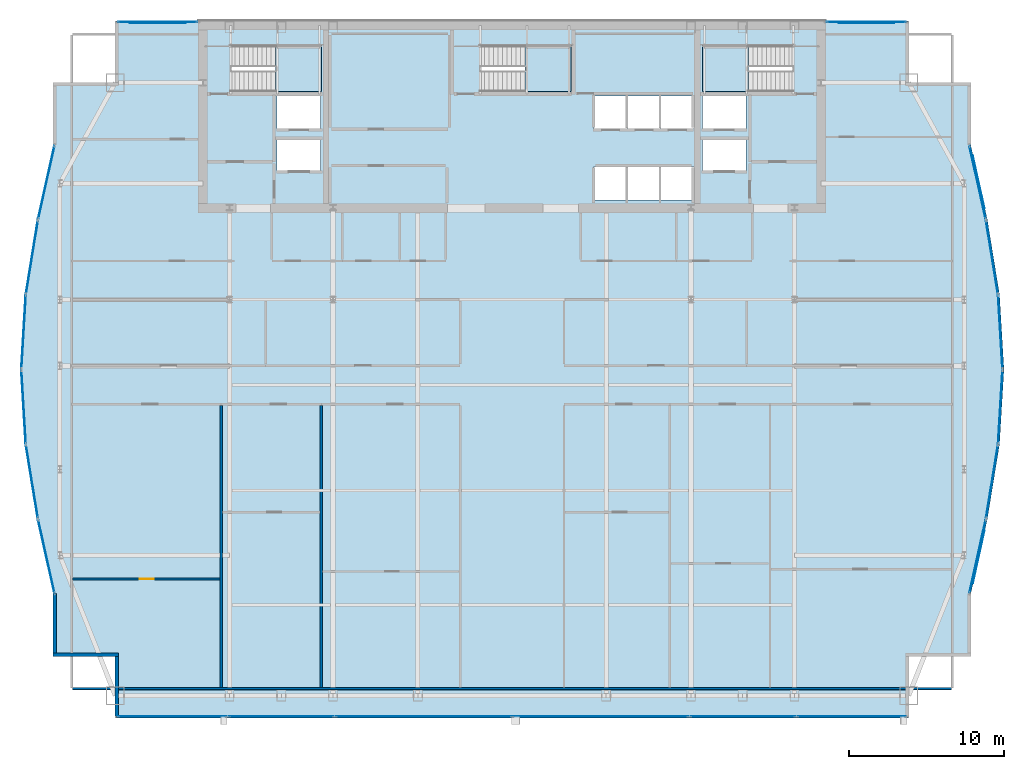
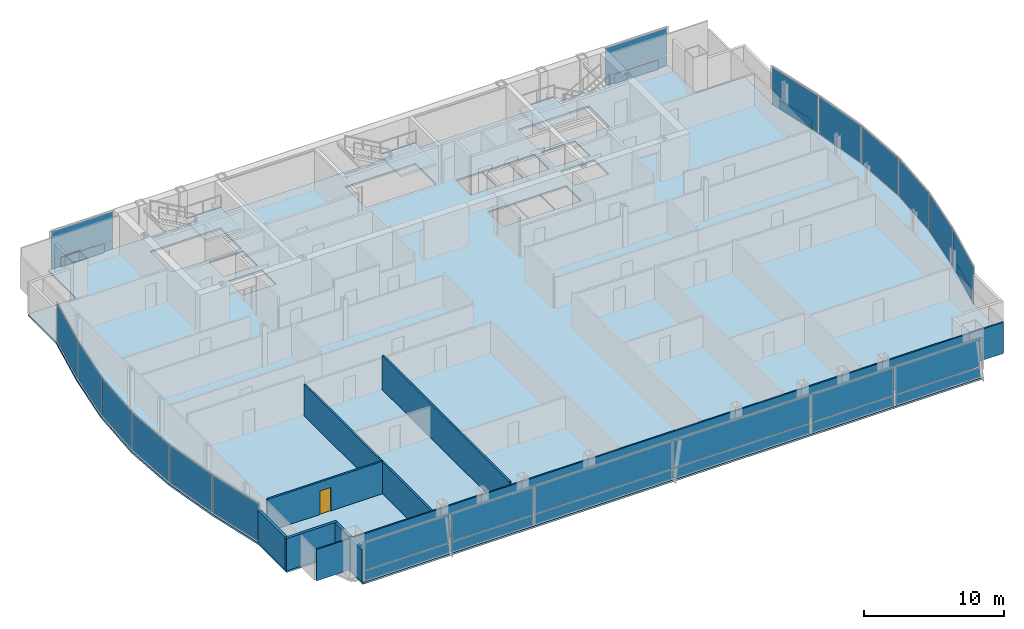
# One storey, part 24 of 30: 32 plates, 7 walls, 4 slabs, 1 door, 1 opening, 22 elements without a shape of their own.
"""IFC4 building model written with IfcOpenShell, lengths in metres."""

from ifc_helpers import new_model, si_unit, direction, frame, frame_2d, origin, origin_2d, place, context, subcontext, project, spatial, polyline, rectangle, outline, extrude, material, layer, layer_set, type_object, element, fill, aggregate, save


model = new_model("IFC4")

# Units and contexts
model_context = context("Model", 3, precision=1e-05, world=origin(), true_north=direction((0.0, 1.0)))
body_context = subcontext(model_context, "Body", "Model", "MODEL_VIEW")
ifc_project = project(units=[si_unit("LENGTHUNIT", "METRE"), si_unit("AREAUNIT", "SQUARE_METRE"), si_unit("VOLUMEUNIT", "CUBIC_METRE"), si_unit("PLANEANGLEUNIT", "RADIAN"), si_unit("MASSUNIT", "GRAM", prefix="KILO")], contexts=[model_context])

# Site, building, storey
site_placement = place(None, origin())
site = spatial("IfcSite", under=ifc_project, at=site_placement, CompositionType="ELEMENT")
building_placement = place(site_placement, origin())
building = spatial("IfcBuilding", under=site, at=building_placement, Name="Khoronbel Lancet Exchange", CompositionType="ELEMENT")
storey_placement = place(building_placement, frame((0.0, 0.0, 213.800048828125)))
storey = spatial("IfcBuildingStorey", under=building, at=storey_placement, Name="L54", CompositionType="ELEMENT", Elevation=213.800048828125)

# Curtain wall, plate
ifc_material_1 = material(Name="Low-E Solar Control Insulating Glass", Category="glass")
curtain_wall_type_1 = type_object("IfcCurtainWallType", Name="CW-4", PredefinedType="NOTDEFINED", material=ifc_material_1)
curtain_wall_1_placement = place(storey_placement, origin())
curtain_wall_1 = element("IfcCurtainWall", 1, at=curtain_wall_1_placement, inside=storey, type_object=curtain_wall_type_1, Name="Unitised curtain wall CW-L54-E05", PredefinedType="NOTDEFINED")
ifc_material_2 = material(Name="Bronze-Anodised Aluminium 6063-T6", Category="aluminium")
ifc_layer_1 = layer(ifc_material_2, 0.050048828125, Name="Bronze-Anodised Aluminium 6063-T6")
ifc_layer_set_1 = layer_set([ifc_layer_1], Name="Bronze-Anodised Aluminium 6063-T6")
plate_type_1 = type_object("IfcPlateType", Name="PLT-CSP1", PredefinedType="SHEET", material=ifc_layer_set_1)
plate_1_placement = place(storey_placement, frame((5.470458984375, 23.96337890625, 0.0849609375), z_axis=(0.0, 0.0, 1.0), x_axis=(-0.16070015773, 0.987003272186, 0.0)))
plate_1 = element("IfcPlate", 2, at=plate_1_placement, type_object=plate_type_1, Name="CW4 panel 1.1", PredefinedType="CURTAIN_PANEL", context=body_context, shape_type="SweptSolid", body=[
    extrude(rectangle(XDim=4.73974609375, YDim=0.0380859375, at=origin_2d()), origin(), (0.0, 0.0, 1.0), 3.27001953125),
])
aggregate(curtain_wall_1, [plate_1])

curtain_wall_2_placement = place(storey_placement, origin())
curtain_wall_2 = element("IfcCurtainWall", 3, at=curtain_wall_2_placement, inside=storey, type_object=curtain_wall_type_1, Name="Unitised curtain wall CW-L54-E06", PredefinedType="NOTDEFINED")
plate_2_placement = place(storey_placement, frame((4.933837890625, 28.788330078125, 0.0849609375), z_axis=(0.0, 0.0, 1.0), x_axis=(-0.059479034311, 0.998229555001, 0.0)))
plate_2 = element("IfcPlate", 4, at=plate_2_placement, type_object=plate_type_1, Name="CW4 panel 1.1", PredefinedType="CURTAIN_PANEL", context=body_context, shape_type="SweptSolid", body=[
    extrude(rectangle(XDim=4.681884765625, YDim=0.0380859375, at=origin_2d()), origin(), (0.0, 0.0, 1.0), 3.27001953125),
])
aggregate(curtain_wall_2, [plate_2])

curtain_wall_3_placement = place(storey_placement, origin())
curtain_wall_3 = element("IfcCurtainWall", 5, at=curtain_wall_3_placement, inside=storey, type_object=curtain_wall_type_1, Name="Unitised curtain wall CW-L54-E07", PredefinedType="NOTDEFINED")
plate_3_placement = place(storey_placement, frame((4.933837890625, 33.61181640625, 0.0849609375), z_axis=(0.0, 0.0, 1.0), x_axis=(0.059479034311, 0.998229555001, 0.0)))
plate_3 = element("IfcPlate", 6, at=plate_3_placement, type_object=plate_type_1, Name="CW4 panel 1.1", PredefinedType="CURTAIN_PANEL", context=body_context, shape_type="SweptSolid", body=[
    extrude(rectangle(XDim=4.681884765625, YDim=0.0380859375, at=origin_2d()), origin(), (0.0, 0.0, 1.0), 3.27001953125),
])
aggregate(curtain_wall_3, [plate_3])

curtain_wall_4_placement = place(storey_placement, origin())
curtain_wall_4 = element("IfcCurtainWall", 7, at=curtain_wall_4_placement, inside=storey, type_object=curtain_wall_type_1, Name="Unitised curtain wall CW-L54-E08", PredefinedType="NOTDEFINED")
plate_4_placement = place(storey_placement, frame((5.470458984375, 38.4365234375, 0.0849609375), z_axis=(0.0, 0.0, 1.0), x_axis=(0.16070015773, 0.987003272186, 0.0)))
plate_4 = element("IfcPlate", 8, at=plate_4_placement, type_object=plate_type_1, Name="CW4 panel 1.1", PredefinedType="CURTAIN_PANEL", context=body_context, shape_type="SweptSolid", body=[
    extrude(rectangle(XDim=4.73974609375, YDim=0.0380859375, at=origin_2d()), origin(), (0.0, 0.0, 1.0), 3.27001953125),
])
aggregate(curtain_wall_4, [plate_4])

curtain_wall_type_2 = type_object("IfcCurtainWallType", Name="CW-3", PredefinedType="NOTDEFINED", material=ifc_material_1)
curtain_wall_5_placement = place(storey_placement, origin())
curtain_wall_5 = element("IfcCurtainWall", 9, at=curtain_wall_5_placement, inside=storey, type_object=curtain_wall_type_2, Name="Unitised curtain wall CW-L54-NWFLK", PredefinedType="NOTDEFINED")
plate_5_placement = place(storey_placement, frame((13.580078125, 53.550048828125, 0.0498046875), z_axis=(0.0, 0.0, 1.0), x_axis=(-1.0, 0.0, 0.0)))
plate_5 = element("IfcPlate", 10, at=plate_5_placement, type_object=plate_type_1, Name="Insulated bronze spandrel cassette CW-L54-NWFLK", PredefinedType="SHEET", context=body_context, shape_type="SweptSolid", body=[
    extrude(rectangle(XDim=3.60009765625, YDim=0.050048828125, at=origin_2d()), origin(), (0.0, 0.0, 1.0), 0.800048828125),
])

curtain_wall_6_placement = place(storey_placement, origin())
curtain_wall_6 = element("IfcCurtainWall", 11, at=curtain_wall_6_placement, inside=storey, type_object=curtain_wall_type_2, Name="Unitised curtain wall CW-L54-NEFLK", PredefinedType="NOTDEFINED")
plate_6_placement = place(storey_placement, frame((59.320068359375, 53.550048828125, 0.0498046875), z_axis=(0.0, 0.0, 1.0), x_axis=(-1.0, 0.0, 0.0)))
plate_6 = element("IfcPlate", 12, at=plate_6_placement, type_object=plate_type_1, Name="Insulated bronze spandrel cassette CW-L54-NEFLK", PredefinedType="SHEET", context=body_context, shape_type="SweptSolid", body=[
    extrude(rectangle(XDim=3.60009765625, YDim=0.050048828125, at=origin_2d()), origin(), (0.0, 0.0, 1.0), 0.800048828125),
])

curtain_wall_7_placement = place(storey_placement, origin())
curtain_wall_7 = element("IfcCurtainWall", 13, at=curtain_wall_7_placement, inside=storey, type_object=curtain_wall_type_1, Name="Unitised curtain wall CW-L54-E17", PredefinedType="NOTDEFINED")
plate_7_placement = place(storey_placement, frame((66.556884765625, 43.282958984375, 0.0498046875), z_axis=(0.0, 0.0, 1.0), x_axis=(0.217114089072, -0.976146235114, 0.0)))
plate_7 = element("IfcPlate", 14, at=plate_7_placement, type_object=plate_type_1, Name="Insulated bronze spandrel cassette CW-L54-E17", PredefinedType="SHEET", context=body_context, shape_type="SweptSolid", body=[
    extrude(rectangle(XDim=3.47119140625, YDim=0.050048828125, at=origin_2d()), origin(), (0.0, 0.0, 1.0), 0.800048828125),
])

curtain_wall_8_placement = place(storey_placement, origin())
curtain_wall_8 = element("IfcCurtainWall", 15, at=curtain_wall_8_placement, inside=storey, type_object=curtain_wall_type_1, Name="Unitised curtain wall CW-L54-E18", PredefinedType="NOTDEFINED")
plate_8_placement = place(storey_placement, frame((67.429443359375, 38.4365234375, 0.0849609375), z_axis=(0.0, 0.0, 1.0), x_axis=(0.16070015773, -0.987003272186, 0.0)))
plate_8 = element("IfcPlate", 16, at=plate_8_placement, type_object=plate_type_1, Name="CW4 panel 1.1", PredefinedType="CURTAIN_PANEL", context=body_context, shape_type="SweptSolid", body=[
    extrude(rectangle(XDim=4.73974609375, YDim=0.0380859375, at=origin_2d()), origin(), (0.0, 0.0, 1.0), 3.27001953125),
])
aggregate(curtain_wall_8, [plate_8])

curtain_wall_9_placement = place(storey_placement, origin())
curtain_wall_9 = element("IfcCurtainWall", 17, at=curtain_wall_9_placement, inside=storey, type_object=curtain_wall_type_1, Name="Unitised curtain wall CW-L54-E19", PredefinedType="NOTDEFINED")
plate_9_placement = place(storey_placement, frame((67.966064453125, 33.61181640625, 0.0849609375), z_axis=(0.0, 0.0, 1.0), x_axis=(0.059479034311, -0.998229555001, 0.0)))
plate_9 = element("IfcPlate", 18, at=plate_9_placement, type_object=plate_type_1, Name="CW4 panel 1.1", PredefinedType="CURTAIN_PANEL", context=body_context, shape_type="SweptSolid", body=[
    extrude(rectangle(XDim=4.681884765625, YDim=0.0380859375, at=origin_2d()), origin(), (0.0, 0.0, 1.0), 3.27001953125),
])
aggregate(curtain_wall_9, [plate_9])

curtain_wall_10_placement = place(storey_placement, origin())
curtain_wall_10 = element("IfcCurtainWall", 19, at=curtain_wall_10_placement, inside=storey, type_object=curtain_wall_type_1, Name="Unitised curtain wall CW-L54-E20", PredefinedType="NOTDEFINED")
plate_10_placement = place(storey_placement, frame((67.966064453125, 28.788330078125, 0.0849609375), z_axis=(0.0, 0.0, 1.0), x_axis=(-0.059479034311, -0.998229555001, 0.0)))
plate_10 = element("IfcPlate", 20, at=plate_10_placement, type_object=plate_type_1, Name="CW4 panel 1.1", PredefinedType="CURTAIN_PANEL", context=body_context, shape_type="SweptSolid", body=[
    extrude(rectangle(XDim=4.681884765625, YDim=0.0380859375, at=origin_2d()), origin(), (0.0, 0.0, 1.0), 3.27001953125),
])
aggregate(curtain_wall_10, [plate_10])

curtain_wall_11_placement = place(storey_placement, origin())
curtain_wall_11 = element("IfcCurtainWall", 21, at=curtain_wall_11_placement, inside=storey, type_object=curtain_wall_type_1, Name="Unitised curtain wall CW-L54-E21", PredefinedType="NOTDEFINED")
plate_11_placement = place(storey_placement, frame((67.429443359375, 23.96337890625, 0.0849609375), z_axis=(0.0, 0.0, 1.0), x_axis=(-0.16070015773, -0.987003272186, 0.0)))
plate_11 = element("IfcPlate", 22, at=plate_11_placement, type_object=plate_type_1, Name="CW4 panel 1.1", PredefinedType="CURTAIN_PANEL", context=body_context, shape_type="SweptSolid", body=[
    extrude(rectangle(XDim=4.73974609375, YDim=0.0380859375, at=origin_2d()), origin(), (0.0, 0.0, 1.0), 3.27001953125),
])
aggregate(curtain_wall_11, [plate_11])

curtain_wall_12_placement = place(storey_placement, origin())
curtain_wall_12 = element("IfcCurtainWall", 23, at=curtain_wall_12_placement, inside=storey, type_object=curtain_wall_type_1, Name="Unitised curtain wall CW-L54-E22", PredefinedType="NOTDEFINED")
plate_12_placement = place(storey_placement, frame((66.556884765625, 19.1171875, 0.0498046875), z_axis=(0.0, 0.0, 1.0), x_axis=(-0.217114089072, -0.976146235114, 0.0)))
plate_12 = element("IfcPlate", 24, at=plate_12_placement, type_object=plate_type_1, Name="Insulated bronze spandrel cassette CW-L54-E22", PredefinedType="SHEET", context=body_context, shape_type="SweptSolid", body=[
    extrude(rectangle(XDim=3.47119140625, YDim=0.050048828125, at=origin_2d()), origin(), (0.0, 0.0, 1.0), 0.800048828125),
])

# Curtain wall, plates
curtain_wall_13_placement = place(storey_placement, origin())
curtain_wall_13 = element("IfcCurtainWall", 25, at=curtain_wall_13_placement, inside=storey, type_object=curtain_wall_type_2, Name="Unitised curtain wall CW-L54-SWB", PredefinedType="NOTDEFINED")
plate_13_placement = place(storey_placement, frame((21.550048828125, 8.7900390625, 0.0849609375), z_axis=(0.0, 0.0, 1.0), x_axis=(1.0, 0.0, 0.0)))
plate_13 = element("IfcPlate", 26, at=plate_13_placement, type_object=plate_type_1, Name="CW3 panel 1.1", PredefinedType="CURTAIN_PANEL", context=body_context, shape_type="SweptSolid", body=[
    extrude(rectangle(XDim=6.72998046875, YDim=0.0380859375, at=origin_2d()), origin(), (0.0, 0.0, 1.0), 0.822509765625),
])
plate_14_placement = place(storey_placement, frame((21.550048828125, 8.7900390625, 0.9921875), z_axis=(0.0, 0.0, 1.0), x_axis=(1.0, 0.0, 0.0)))
plate_14 = element("IfcPlate", 27, at=plate_14_placement, type_object=plate_type_1, Name="CW3 panel 1.2", PredefinedType="CURTAIN_PANEL", context=body_context, shape_type="SweptSolid", body=[
    extrude(rectangle(XDim=6.72998046875, YDim=0.0380859375, at=origin_2d()), origin(), (0.0, 0.0, 1.0), 2.362548828125),
])
aggregate(curtain_wall_13, [plate_13, plate_14])

curtain_wall_14_placement = place(storey_placement, origin())
curtain_wall_14 = element("IfcCurtainWall", 28, at=curtain_wall_14_placement, inside=storey, type_object=curtain_wall_type_2, Name="Unitised curtain wall CW-L54-SEB", PredefinedType="NOTDEFINED")
plate_15_placement = place(storey_placement, frame((51.35009765625, 8.7900390625, 0.0849609375), z_axis=(0.0, 0.0, 1.0), x_axis=(1.0, 0.0, 0.0)))
plate_15 = element("IfcPlate", 29, at=plate_15_placement, type_object=plate_type_1, Name="CW3 panel 1.1", PredefinedType="CURTAIN_PANEL", context=body_context, shape_type="SweptSolid", body=[
    extrude(rectangle(XDim=6.72998046875, YDim=0.0380859375, at=origin_2d()), origin(), (0.0, 0.0, 1.0), 0.822509765625),
])
plate_16_placement = place(storey_placement, frame((51.35009765625, 8.7900390625, 0.9921875), z_axis=(0.0, 0.0, 1.0), x_axis=(1.0, 0.0, 0.0)))
plate_16 = element("IfcPlate", 30, at=plate_16_placement, type_object=plate_type_1, Name="CW3 panel 1.2", PredefinedType="CURTAIN_PANEL", context=body_context, shape_type="SweptSolid", body=[
    extrude(rectangle(XDim=6.72998046875, YDim=0.0380859375, at=origin_2d()), origin(), (0.0, 0.0, 1.0), 2.362548828125),
])
aggregate(curtain_wall_14, [plate_15, plate_16])

# Plate
ifc_layer_2 = layer(ifc_material_1, 0.035888671875, Name="Low-E Solar Control Insulating Glass")
ifc_layer_set_2 = layer_set([ifc_layer_2], Name="Low-E Solar Control Insulating Glass")
plate_type_2 = type_object("IfcPlateType", Name="PLT-CWP1", PredefinedType="CURTAIN_PANEL", material=ifc_layer_set_2)
plate_17_placement = place(storey_placement, frame((13.580078125, 53.610107421875, 0.0849609375), z_axis=(0.0, 0.0, 1.0), x_axis=(-1.0, 0.0, 0.0)))
plate_17 = element("IfcPlate", 31, at=plate_17_placement, type_object=plate_type_2, Name="CW3 panel 1.1", PredefinedType="CURTAIN_PANEL", context=body_context, shape_type="SweptSolid", body=[
    extrude(rectangle(XDim=5.110107421875, YDim=0.0380859375, at=origin_2d()), origin(), (0.0, 0.0, 1.0), 0.822509765625),
])

plate_18_placement = place(storey_placement, frame((13.580078125, 53.610107421875, 0.9921875), z_axis=(0.0, 0.0, 1.0), x_axis=(-1.0, 0.0, 0.0)))
plate_18 = element("IfcPlate", 32, at=plate_18_placement, type_object=plate_type_2, Name="CW3 panel 1.2", PredefinedType="CURTAIN_PANEL", context=body_context, shape_type="SweptSolid", body=[
    extrude(rectangle(XDim=5.110107421875, YDim=0.0380859375, at=origin_2d()), origin(), (0.0, 0.0, 1.0), 2.362548828125),
])

aggregate(curtain_wall_5, [plate_17, plate_18, plate_5])

plate_19_placement = place(storey_placement, frame((59.320068359375, 53.610107421875, 0.0849609375), z_axis=(0.0, 0.0, 1.0), x_axis=(-1.0, 0.0, 0.0)))
plate_19 = element("IfcPlate", 33, at=plate_19_placement, type_object=plate_type_2, Name="CW3 panel 1.1", PredefinedType="CURTAIN_PANEL", context=body_context, shape_type="SweptSolid", body=[
    extrude(rectangle(XDim=5.110107421875, YDim=0.0380859375, at=origin_2d()), origin(), (0.0, 0.0, 1.0), 0.822509765625),
])

plate_20_placement = place(storey_placement, frame((59.320068359375, 53.610107421875, 0.9921875), z_axis=(0.0, 0.0, 1.0), x_axis=(-1.0, 0.0, 0.0)))
plate_20 = element("IfcPlate", 34, at=plate_20_placement, type_object=plate_type_2, Name="CW3 panel 1.2", PredefinedType="CURTAIN_PANEL", context=body_context, shape_type="SweptSolid", body=[
    extrude(rectangle(XDim=5.110107421875, YDim=0.0380859375, at=origin_2d()), origin(), (0.0, 0.0, 1.0), 2.362548828125),
])

aggregate(curtain_wall_6, [plate_19, plate_20, plate_6])

# Curtain wall, plates
curtain_wall_15_placement = place(storey_placement, origin())
curtain_wall_15 = element("IfcCurtainWall", 35, at=curtain_wall_15_placement, inside=storey, type_object=curtain_wall_type_2, Name="Unitised curtain wall CW-L54-SWV", PredefinedType="NOTDEFINED")
plate_21_placement = place(storey_placement, frame((14.52001953125, 8.7900390625, 0.0849609375), z_axis=(0.0, 0.0, 1.0), x_axis=(1.0, 0.0, 0.0)))
plate_21 = element("IfcPlate", 36, at=plate_21_placement, type_object=plate_type_2, Name="CW3 panel 1.1", PredefinedType="CURTAIN_PANEL", context=body_context, shape_type="SweptSolid", body=[
    extrude(rectangle(XDim=6.989990234375, YDim=0.0380859375, at=origin_2d()), origin(), (0.0, 0.0, 1.0), 0.822509765625),
])
plate_22_placement = place(storey_placement, frame((14.52001953125, 8.7900390625, 0.9921875), z_axis=(0.0, 0.0, 1.0), x_axis=(1.0, 0.0, 0.0)))
plate_22 = element("IfcPlate", 37, at=plate_22_placement, type_object=plate_type_2, Name="CW3 panel 1.2", PredefinedType="CURTAIN_PANEL", context=body_context, shape_type="SweptSolid", body=[
    extrude(rectangle(XDim=6.989990234375, YDim=0.0380859375, at=origin_2d()), origin(), (0.0, 0.0, 1.0), 2.362548828125),
])
aggregate(curtain_wall_15, [plate_21, plate_22])

curtain_wall_16_placement = place(storey_placement, origin())
curtain_wall_16 = element("IfcCurtainWall", 38, at=curtain_wall_16_placement, inside=storey, type_object=curtain_wall_type_2, Name="Unitised curtain wall CW-L54-SCV", PredefinedType="NOTDEFINED")
plate_23_placement = place(storey_placement, frame((30.746337890625, 8.7900390625, 0.0849609375), z_axis=(0.0, 0.0, 1.0), x_axis=(1.0, 0.0, 0.0)))
plate_23 = element("IfcPlate", 39, at=plate_23_placement, type_object=plate_type_2, Name="CW3 panel 1.1", PredefinedType="CURTAIN_PANEL", context=body_context, shape_type="SweptSolid", body=[
    extrude(rectangle(XDim=11.322509765625, YDim=0.0380859375, at=origin_2d()), origin(), (0.0, 0.0, 1.0), 0.822509765625),
])
plate_24_placement = place(storey_placement, frame((30.746337890625, 8.7900390625, 0.9921875), z_axis=(0.0, 0.0, 1.0), x_axis=(1.0, 0.0, 0.0)))
plate_24 = element("IfcPlate", 40, at=plate_24_placement, type_object=plate_type_2, Name="CW3 panel 1.2", PredefinedType="CURTAIN_PANEL", context=body_context, shape_type="SweptSolid", body=[
    extrude(rectangle(XDim=11.322509765625, YDim=0.0380859375, at=origin_2d()), origin(), (0.0, 0.0, 1.0), 2.362548828125),
])
plate_25_placement = place(storey_placement, frame((42.15380859375, 8.7900390625, 0.0849609375), z_axis=(0.0, 0.0, 1.0), x_axis=(1.0, 0.0, 0.0)))
plate_25 = element("IfcPlate", 41, at=plate_25_placement, type_object=plate_type_2, Name="CW3 panel 2.1", PredefinedType="CURTAIN_PANEL", context=body_context, shape_type="SweptSolid", body=[
    extrude(rectangle(XDim=11.322509765625, YDim=0.0380859375, at=origin_2d()), origin(), (0.0, 0.0, 1.0), 0.822509765625),
])
plate_26_placement = place(storey_placement, frame((42.15380859375, 8.7900390625, 0.9921875), z_axis=(0.0, 0.0, 1.0), x_axis=(1.0, 0.0, 0.0)))
plate_26 = element("IfcPlate", 42, at=plate_26_placement, type_object=plate_type_2, Name="CW3 panel 2.2", PredefinedType="CURTAIN_PANEL", context=body_context, shape_type="SweptSolid", body=[
    extrude(rectangle(XDim=11.322509765625, YDim=0.0380859375, at=origin_2d()), origin(), (0.0, 0.0, 1.0), 2.362548828125),
])
aggregate(curtain_wall_16, [plate_23, plate_24, plate_25, plate_26])

curtain_wall_17_placement = place(storey_placement, origin())
curtain_wall_17 = element("IfcCurtainWall", 43, at=curtain_wall_17_placement, inside=storey, type_object=curtain_wall_type_2, Name="Unitised curtain wall CW-L54-SEV", PredefinedType="NOTDEFINED")
plate_27_placement = place(storey_placement, frame((58.3798828125, 8.7900390625, 0.0849609375), z_axis=(0.0, 0.0, 1.0), x_axis=(1.0, 0.0, 0.0)))
plate_27 = element("IfcPlate", 44, at=plate_27_placement, type_object=plate_type_2, Name="CW3 panel 1.1", PredefinedType="CURTAIN_PANEL", context=body_context, shape_type="SweptSolid", body=[
    extrude(rectangle(XDim=6.989990234375, YDim=0.0380859375, at=origin_2d()), origin(), (0.0, 0.0, 1.0), 0.822509765625),
])
plate_28_placement = place(storey_placement, frame((58.3798828125, 8.7900390625, 0.9921875), z_axis=(0.0, 0.0, 1.0), x_axis=(1.0, 0.0, 0.0)))
plate_28 = element("IfcPlate", 45, at=plate_28_placement, type_object=plate_type_2, Name="CW3 panel 1.2", PredefinedType="CURTAIN_PANEL", context=body_context, shape_type="SweptSolid", body=[
    extrude(rectangle(XDim=6.989990234375, YDim=0.0380859375, at=origin_2d()), origin(), (0.0, 0.0, 1.0), 2.362548828125),
])
aggregate(curtain_wall_17, [plate_27, plate_28])

# Curtain wall, plate
curtain_wall_18_placement = place(storey_placement, origin())
curtain_wall_18 = element("IfcCurtainWall", 46, at=curtain_wall_18_placement, inside=storey, type_object=curtain_wall_type_1, Name="Unitised curtain wall CW-L54-E04", PredefinedType="NOTDEFINED")
ifc_material_3 = material(Name="Ceramic-Fritted Laminated Insulating Glass", Category="glass")
ifc_layer_3 = layer(ifc_material_3, 0.0419921875, Name="Ceramic-Fritted Laminated Insulating Glass")
ifc_layer_set_3 = layer_set([ifc_layer_3], Name="Ceramic-Fritted Laminated Insulating Glass")
plate_type_3 = type_object("IfcPlateType", Name="PLT-CWP2", PredefinedType="CURTAIN_PANEL", material=ifc_layer_set_3)
plate_29_placement = place(storey_placement, frame((6.401611328125, 19.130126953125, 0.0849609375), z_axis=(0.0, 0.0, 1.0), x_axis=(-0.217114089072, 0.976146235114, 0.0)))
plate_29 = element("IfcPlate", 47, at=plate_29_placement, type_object=plate_type_3, Name="CW4 panel 1.1", PredefinedType="CURTAIN_PANEL", context=body_context, shape_type="SweptSolid", body=[
    extrude(rectangle(XDim=4.80859375, YDim=0.0380859375, at=origin_2d()), origin(), (0.0, 0.0, 1.0), 3.27001953125),
])
aggregate(curtain_wall_18, [plate_29])

curtain_wall_19_placement = place(storey_placement, origin())
curtain_wall_19 = element("IfcCurtainWall", 48, at=curtain_wall_19_placement, inside=storey, type_object=curtain_wall_type_1, Name="Unitised curtain wall CW-L54-E09", PredefinedType="NOTDEFINED")
plate_30_placement = place(storey_placement, frame((6.401611328125, 43.27001953125, 0.0849609375), z_axis=(0.0, 0.0, 1.0), x_axis=(0.217114089072, 0.976146235114, 0.0)))
plate_30 = element("IfcPlate", 49, at=plate_30_placement, type_object=plate_type_3, Name="CW4 panel 1.1", PredefinedType="CURTAIN_PANEL", context=body_context, shape_type="SweptSolid", body=[
    extrude(rectangle(XDim=4.80859375, YDim=0.0380859375, at=origin_2d()), origin(), (0.0, 0.0, 1.0), 3.27001953125),
])
aggregate(curtain_wall_19, [plate_30])

# Plate
plate_31_placement = place(storey_placement, frame((66.498291015625, 43.27001953125, 0.0849609375), z_axis=(0.0, 0.0, 1.0), x_axis=(0.217114089072, -0.976146235114, 0.0)))
plate_31 = element("IfcPlate", 50, at=plate_31_placement, type_object=plate_type_3, Name="CW4 panel 1.1", PredefinedType="CURTAIN_PANEL", context=body_context, shape_type="SweptSolid", body=[
    extrude(rectangle(XDim=4.80859375, YDim=0.0380859375, at=origin_2d()), origin(), (0.0, 0.0, 1.0), 3.27001953125),
])

aggregate(curtain_wall_7, [plate_31, plate_7])

plate_32_placement = place(storey_placement, frame((66.498291015625, 19.130126953125, 0.0849609375), z_axis=(0.0, 0.0, 1.0), x_axis=(-0.217114089072, -0.976146235114, 0.0)))
plate_32 = element("IfcPlate", 51, at=plate_32_placement, type_object=plate_type_3, Name="CW4 panel 1.1", PredefinedType="CURTAIN_PANEL", context=body_context, shape_type="SweptSolid", body=[
    extrude(rectangle(XDim=4.80859375, YDim=0.0380859375, at=origin_2d()), origin(), (0.0, 0.0, 1.0), 3.27001953125),
])

aggregate(curtain_wall_12, [plate_32, plate_12])

# Slab
ifc_material_4 = material(Name="Concrete C40/50", Category="concrete")
ifc_layer_4 = layer(ifc_material_4, 0.159912109375, Name="Concrete C40/50")
ifc_layer_set_4 = layer_set([ifc_layer_4], Name="Concrete C40/50")
slab_type_1 = type_object("IfcSlabType", Name="SL-FL160", PredefinedType="FLOOR", material=ifc_layer_set_4)
slab_1_placement = place(storey_placement, frame((0.0, 0.0, -0.16015625)))
element("IfcSlab", 52, at=slab_1_placement, inside=storey, type_object=slab_type_1, Name="Level L54 composite structural floor slab", PredefinedType="FLOOR", context=body_context, shape_type="SweptSolid", body=[
    extrude(outline(polyline([(10.85009765625, 8.699951171875), (62.050048828125, 8.699951171875), (62.050048828125, 12.699951171875), (66.050048828125, 12.699951171875), (66.050048828125, 16.699951171875), (67.125, 21.533203125), (67.912109375, 26.36669921875), (68.199951171875, 31.199951171875), (67.912109375, 36.033203125), (67.125, 40.86669921875), (66.050048828125, 45.699951171875), (66.050048828125, 49.699951171875), (62.050048828125, 49.699951171875), (62.050048828125, 53.699951171875), (10.85009765625, 53.699951171875), (10.85009765625, 49.699951171875), (6.85009765625, 49.699951171875), (6.85009765625, 45.699951171875), (5.77490234375, 40.86669921875), (4.988037109375, 36.033203125), (4.699951171875, 31.199951171875), (4.988037109375, 26.36669921875), (5.77490234375, 21.533203125), (6.85009765625, 16.699951171875), (6.85009765625, 12.699951171875), (10.85009765625, 12.699951171875), (10.85009765625, 8.699951171875)]), holes=[polyline([(18.324951171875, 49.1201171875), (24.14990234375, 49.1201171875), (24.14990234375, 52.10009765625), (18.324951171875, 52.10009765625), (18.324951171875, 49.1201171875)]), polyline([(48.75, 49.1201171875), (54.574951171875, 49.1201171875), (54.574951171875, 52.10009765625), (48.75, 52.10009765625), (48.75, 49.1201171875)]), polyline([(34.425048828125, 49.1201171875), (40.25, 49.1201171875), (40.25, 52.10009765625), (34.425048828125, 52.10009765625), (34.425048828125, 49.1201171875)]), polyline([(41.739990234375, 46.75), (43.8798828125, 46.75), (43.8798828125, 48.85009765625), (41.739990234375, 48.85009765625), (41.739990234375, 46.75)]), polyline([(43.89990234375, 46.75), (46.0400390625, 46.75), (46.0400390625, 48.85009765625), (43.89990234375, 48.85009765625), (43.89990234375, 46.75)]), polyline([(46.06005859375, 46.75), (48.199951171875, 46.75), (48.199951171875, 48.85009765625), (46.06005859375, 48.85009765625), (46.06005859375, 46.75)]), polyline([(41.739990234375, 42.14990234375), (43.8798828125, 42.14990234375), (43.8798828125, 44.300048828125), (41.739990234375, 44.300048828125), (41.739990234375, 42.14990234375)]), polyline([(43.89990234375, 42.14990234375), (46.0400390625, 42.14990234375), (46.0400390625, 44.300048828125), (43.89990234375, 44.300048828125), (43.89990234375, 42.14990234375)]), polyline([(46.06005859375, 42.14990234375), (48.199951171875, 42.14990234375), (48.199951171875, 44.300048828125), (46.06005859375, 44.300048828125), (46.06005859375, 42.14990234375)]), polyline([(21.300048828125, 46.75), (24.10009765625, 46.75), (24.10009765625, 48.85009765625), (21.300048828125, 48.85009765625), (21.300048828125, 46.75)]), polyline([(48.75, 46.75), (51.550048828125, 46.75), (51.550048828125, 48.85009765625), (48.75, 48.85009765625), (48.75, 46.75)]), polyline([(21.300048828125, 44.050048828125), (24.10009765625, 44.050048828125), (24.10009765625, 46.050048828125), (21.300048828125, 46.050048828125), (21.300048828125, 44.050048828125)]), polyline([(48.75, 44.050048828125), (51.550048828125, 44.050048828125), (51.550048828125, 46.050048828125), (48.75, 46.050048828125), (48.75, 44.050048828125)])]), origin(), (0.0, 0.0, 1.0), 0.16015625),
])

# Stair, slab
stair_type = type_object("IfcStairType", Name="STR-CORE150", PredefinedType="HALF_TURN_STAIR", material=ifc_material_4)
stair_1_placement = place(storey_placement, origin())
stair_1 = element("IfcStair", 53, at=stair_1_placement, inside=storey, type_object=stair_type, Name="L54 Protected Exit Stair ST1", PredefinedType="HALF_TURN_STAIR")
ifc_layer_5 = layer(ifc_material_4, 0.199951171875, Name="Concrete C40/50")
ifc_layer_set_5 = layer_set([ifc_layer_5], Name="Concrete C40/50")
slab_type_2 = type_object("IfcSlabType", Name="SL-LND180", PredefinedType="LANDING", material=ifc_layer_set_5)
slab_2_placement = place(storey_placement, frame((0.0, 0.0, 1.599853515625)))
slab_2 = element("IfcSlab", 54, at=slab_2_placement, type_object=slab_type_2, Name="ST1 landing 1", PredefinedType="LANDING", context=body_context, shape_type="SweptSolid", body=[
    extrude(outline(polyline([(21.199951171875, 49.1201171875), (24.14990234375, 49.1201171875), (24.14990234375, 52.10009765625), (21.199951171875, 52.10009765625), (21.199951171875, 49.1201171875)])), origin(), (0.0, 0.0, 1.0), 0.2001953125),
])
aggregate(stair_1, [slab_2])

stair_2_placement = place(storey_placement, origin())
stair_2 = element("IfcStair", 55, at=stair_2_placement, inside=storey, type_object=stair_type, Name="L54 Protected Exit Stair ST2", PredefinedType="HALF_TURN_STAIR")
slab_3_placement = place(storey_placement, frame((0.0, 0.0, 1.599853515625)))
slab_3 = element("IfcSlab", 56, at=slab_3_placement, type_object=slab_type_2, Name="ST2 landing 1", PredefinedType="LANDING", context=body_context, shape_type="SweptSolid", body=[
    extrude(outline(polyline([(51.699951171875, 52.10009765625), (48.75, 52.10009765625), (48.75, 49.1201171875), (51.699951171875, 49.1201171875), (51.699951171875, 52.10009765625)])), origin(), (0.0, 0.0, 1.0), 0.2001953125),
])
aggregate(stair_2, [slab_3])

stair_3_placement = place(storey_placement, origin())
stair_3 = element("IfcStair", 57, at=stair_3_placement, inside=storey, type_object=stair_type, Name="L54 Protected Exit Stair ST3", PredefinedType="HALF_TURN_STAIR")
slab_4_placement = place(storey_placement, frame((0.0, 0.0, 1.599853515625)))
slab_4 = element("IfcSlab", 58, at=slab_4_placement, type_object=slab_type_2, Name="ST3 landing 1", PredefinedType="LANDING", context=body_context, shape_type="SweptSolid", body=[
    extrude(outline(polyline([(37.300048828125, 49.1201171875), (40.25, 49.1201171875), (40.25, 52.10009765625), (37.300048828125, 52.10009765625), (37.300048828125, 49.1201171875)])), origin(), (0.0, 0.0, 1.0), 0.2001953125),
])
aggregate(stair_3, [slab_4])

# Walls
ifc_material_5 = material(Name="Precast concrete C40/50", Category="concrete")
ifc_layer_6 = layer(ifc_material_5, 0.25, Name="Precast concrete C40/50")
ifc_layer_set_6 = layer_set([ifc_layer_6], Name="Precast concrete C40/50")
wall_type_1 = type_object("IfcWallType", Name="WL-EXT250", PredefinedType="SOLIDWALL", material=ifc_layer_set_6)
wall_1_placement = place(storey_placement, frame((10.93994140625, 8.77001953125, 0.0), z_axis=(0.0, 0.0, 1.0), x_axis=(0.0, 1.0, 0.0)))
element("IfcWall", 59, at=wall_1_placement, inside=storey, type_object=wall_type_1, Name="Level L54 notched-corner limestone pier 01", PredefinedType="SOLIDWALL", context=body_context, shape_type="SweptSolid", body=[
    extrude(rectangle(XDim=3.909912109375, YDim=0.219970703125, at=frame_2d((1.955078125, 0.0))), origin(), (0.0, 0.0, 1.0), 2.829833984375),
])
wall_2_placement = place(storey_placement, frame((11.050048828125, 12.7900390625, 0.0), z_axis=(0.0, 0.0, 1.0), x_axis=(-1.0, 0.0, 0.0)))
element("IfcWall", 60, at=wall_2_placement, inside=storey, type_object=wall_type_1, Name="Level L54 notched-corner limestone pier 02", PredefinedType="SOLIDWALL", context=body_context, shape_type="SweptSolid", body=[
    extrude(rectangle(XDim=4.219970703125, YDim=0.219970703125, at=frame_2d((2.10986328125, 0.0))), origin(), (0.0, 0.0, 1.0), 2.829833984375),
])
wall_3_placement = place(storey_placement, frame((6.93994140625, 12.89990234375, 0.0), z_axis=(0.0, 0.0, 1.0), x_axis=(0.0, 1.0, 0.0)))
element("IfcWall", 61, at=wall_3_placement, inside=storey, type_object=wall_type_1, Name="Level L54 notched-corner limestone pier 03", PredefinedType="SOLIDWALL", context=body_context, shape_type="SweptSolid", body=[
    extrude(rectangle(XDim=3.830078125, YDim=0.219970703125, at=frame_2d((1.9150390625, 0.0))), origin(), (0.0, 0.0, 1.0), 2.829833984375),
])

# Wall, opening, door
ifc_material_6 = material(Name="Acoustic Metal-Stud & Mineral-Wool Gypsum Partition 120 mm", Category="gypsum")
ifc_layer_7 = layer(ifc_material_6, 0.1201171875, Name="Acoustic Metal-Stud & Mineral-Wool Gypsum Partition 120 mm")
ifc_layer_set_7 = layer_set([ifc_layer_7], Name="Acoustic Metal-Stud & Mineral-Wool Gypsum Partition 120 mm")
wall_type_2 = type_object("IfcWallType", Name="WL-PRT120", PredefinedType="PARTITIONING", material=ifc_layer_set_7)
wall_4_placement = place(storey_placement, frame((8.094970703125, 17.670654296875, 0.0), z_axis=(0.0, 0.0, 1.0), x_axis=(1.0, 0.0, 0.0)))
wall_4 = element("IfcWall", 62, at=wall_4_placement, inside=storey, type_object=wall_type_2, Name="Level L54 interior partition PW-Z3SW-H1", PredefinedType="PARTITIONING", context=body_context, shape_type="SweptSolid", body=[
    extrude(rectangle(XDim=9.5068359375, YDim=0.14990234375, at=frame_2d((4.75341796875, 0.0))), origin(), (0.0, 0.0, 1.0), 2.829833984375),
])
opening_placement = place(wall_4_placement, frame((4.34326171875, 0.0, 0.0)))
opening = element("IfcOpeningElement", 63, at=opening_placement, cuts=wall_4, Name="Opening D5", PredefinedType="OPENING", context=body_context, shape_type="SweptSolid", body=[
    extrude(rectangle(XDim=0.89990234375, YDim=2.050048828125, at=frame_2d((0.449951171875, 1.02490234375))), frame((0.0, 0.0849609375, 0.0), z_axis=(0.0, -1.0, 0.0), x_axis=(1.0, 0.0, 0.0)), (0.0, 0.0, 1.0), 0.169921875),
])
ifc_material_7 = material(Name="Acoustic Timber Pantry & Support Door", Category="wood")
door_type = type_object("IfcDoorType", Name="DR-D5", OperationType="NOTDEFINED", PredefinedType="DOOR", material=ifc_material_7)
door_placement = place(opening_placement, origin())
door = element("IfcDoor", 64, at=door_placement, inside=storey, type_object=door_type, Name="Z3SW inner door 1 L54-1", OperationType="SINGLE_SWING_RIGHT", OverallHeight=2.050048828125, OverallWidth=0.89990234375, PredefinedType="DOOR", context=body_context, shape_type="SweptSolid", body=[
    extrude(rectangle(XDim=0.89990234375, YDim=2.050048828125, at=frame_2d((0.449951171875, 1.02490234375))), frame((0.0, 0.02490234375, 0.0), z_axis=(0.0, -1.0, 0.0), x_axis=(1.0, 0.0, 0.0)), (0.0, 0.0, 1.0), 0.050048828125),
])
fill(opening, door)

# Walls
wall_5_placement = place(storey_placement, frame((8.094970703125, 10.60009765625, 0.0), z_axis=(0.0, 0.0, 1.0), x_axis=(1.0, 0.0, 0.0)))
element("IfcWall", 65, at=wall_5_placement, inside=storey, type_object=wall_type_2, Name="Level L54 interior partition PW-LIN-S", PredefinedType="PARTITIONING", context=body_context, shape_type="SweptSolid", body=[
    extrude(rectangle(XDim=56.7099609375, YDim=0.1201171875, at=frame_2d((28.35498046875, 0.0))), origin(), (0.0, 0.0, 1.0), 2.72998046875),
])
ifc_material_8 = material(Name="Fire-Rated Twin-Stud Acoustic Gypsum Partition 150 mm", Category="gypsum")
ifc_layer_8 = layer(ifc_material_8, 0.14990234375, Name="Fire-Rated Twin-Stud Acoustic Gypsum Partition 150 mm")
ifc_layer_set_8 = layer_set([ifc_layer_8], Name="Fire-Rated Twin-Stud Acoustic Gypsum Partition 150 mm")
wall_type_3 = type_object("IfcWallType", Name="WL-PRT150C", PredefinedType="PARTITIONING", material=ifc_layer_set_8)
wall_6_placement = place(storey_placement, frame((17.681640625, 10.6650390625, 0.0), z_axis=(0.0, 0.0, 1.0), x_axis=(0.0, 1.0, 0.0)))
element("IfcWall", 66, at=wall_6_placement, inside=storey, type_object=wall_type_3, Name="Level L54 interior partition PW-Z3SW-V1", PredefinedType="PARTITIONING", context=body_context, shape_type="SweptSolid", body=[
    extrude(rectangle(XDim=18.199951171875, YDim=0.14990234375, at=frame_2d((9.10009765625, 0.0))), origin(), (0.0, 0.0, 1.0), 2.72998046875),
])
wall_7_placement = place(storey_placement, frame((24.14501953125, 10.6650390625, 0.0), z_axis=(0.0, 0.0, 1.0), x_axis=(0.0, 1.0, 0.0)))
element("IfcWall", 67, at=wall_7_placement, inside=storey, type_object=wall_type_3, Name="Level L54 interior partition PW-Z3SW-V2", PredefinedType="PARTITIONING", context=body_context, shape_type="SweptSolid", body=[
    extrude(rectangle(XDim=18.199951171875, YDim=0.14990234375, at=frame_2d((9.10009765625, 0.0))), origin(), (0.0, 0.0, 1.0), 2.97998046875),
])

save(model, "model.ifc")
